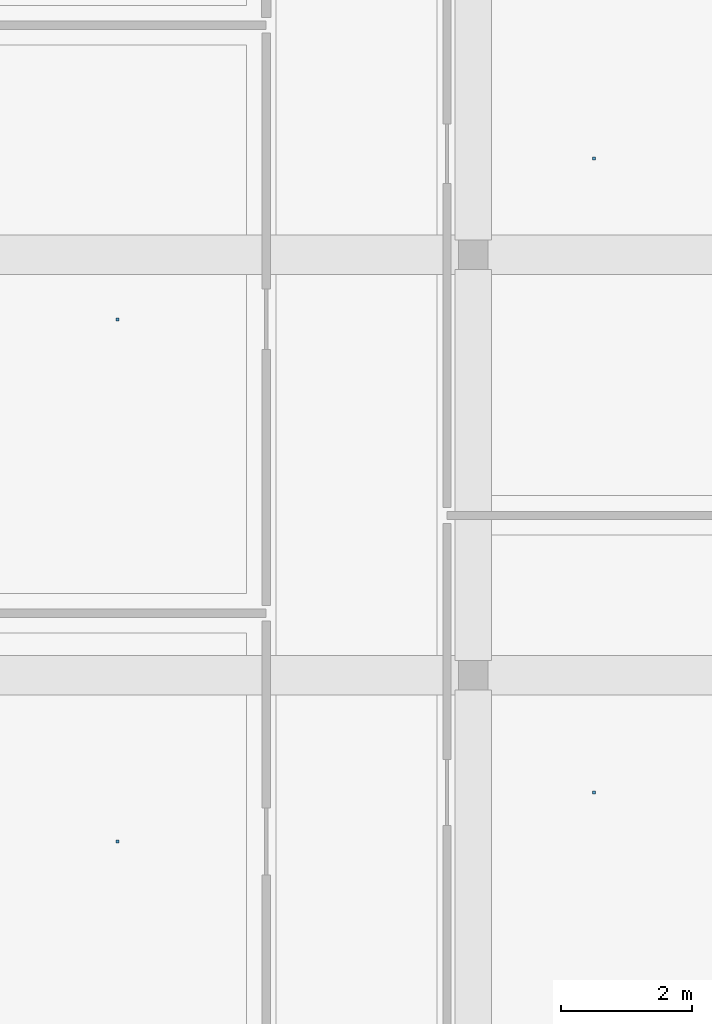
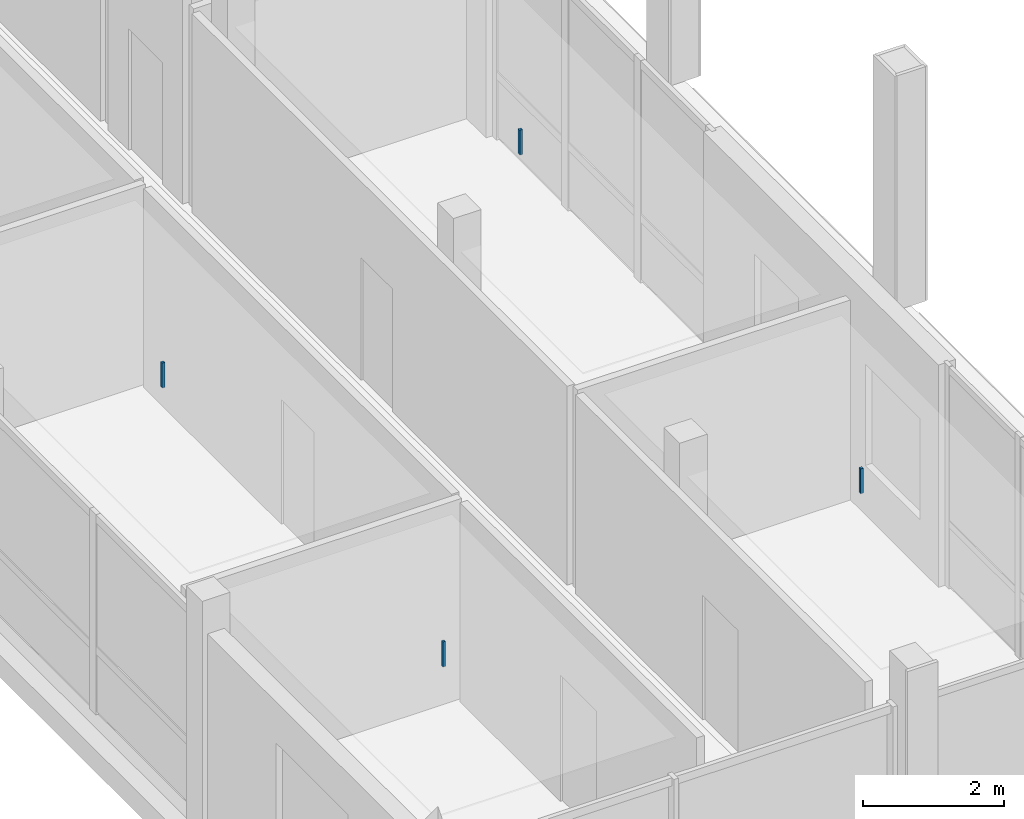
# One storey, part 35 of 48: 4 discrete accessories.
"""IFC4 building model written with IfcOpenShell, lengths in metres."""

import ifcopenshell
import ifcopenshell.guid

model = None  # the IFC model being written
_history = None  # IfcOwnerHistory: only IFC2X3 demands one
_inside = {}  # id of a spatial element -> (the spatial element, [elements in it])
_under = {}  # id of a project, library or spatial element -> (it, [spatial elements below it])
_declared = {}  # id of a project -> (the project, [libraries it declares])
_typed = {}  # id of a type object -> (the type object, [elements of that type])
_made_of = {}  # id of a material, layer set ... -> (it, [elements and type objects made of it])


def new_model(schema):
    """Start an empty IFC model of exactly this schema.

    Asked for "IFC4X3", IfcOpenShell would pick the latest addendum, in which some entities
    have other attributes; the version numbers below select the first issue.
    IFC2X3 requires an IfcOwnerHistory on every rooted entity: one is made here for all.
    """
    global model, _history
    if schema == "IFC4X3":
        model = ifcopenshell.file(schema_version=(4, 3, 0, 0))
    else:
        model = ifcopenshell.file(schema=schema)
    _inside.clear()
    _under.clear()
    _declared.clear()
    _typed.clear()
    _made_of.clear()
    _history = None
    if model.schema == "IFC2X3":
        org = make("IfcOrganization", Name="unknown")
        user = make(
            "IfcPersonAndOrganization",
            ThePerson=make("IfcPerson", FamilyName="unknown"),
            TheOrganization=org,
        )
        app = make(
            "IfcApplication",
            ApplicationDeveloper=org,
            Version="unknown",
            ApplicationFullName="unknown",
            ApplicationIdentifier="unknown",
        )
        _history = make(
            "IfcOwnerHistory",
            OwningUser=user,
            OwningApplication=app,
            ChangeAction="ADDED",
            CreationDate=0,
        )
    return model


def make(cls, **values):
    """One entity of the class cls with the attributes given. An attribute that is None is left unset."""
    return model.create_entity(
        cls, **{name: value for name, value in values.items() if value is not None}
    )


def rooted(cls, **values):
    """An entity with a GlobalId (a new one), such as an element, a storey or a relation."""
    return make(cls, GlobalId=ifcopenshell.guid.new(), OwnerHistory=_history, **values)


def si_unit(unit_type, name, prefix=None):
    """IfcSIUnit, for example si_unit("LENGTHUNIT", "METRE", prefix="MILLI")."""
    return make("IfcSIUnit", UnitType=unit_type, Prefix=prefix, Name=name)


def derived_unit(unit_type, elements):
    """IfcDerivedUnit: a product of units, each with its exponent."""
    return make(
        "IfcDerivedUnit",
        Elements=[
            make("IfcDerivedUnitElement", Unit=unit, Exponent=power)
            for unit, power in elements
        ],
        UnitType=unit_type,
    )


def assignment(units):
    """IfcUnitAssignment: the units of a project."""
    return None if units is None else make("IfcUnitAssignment", Units=units)


def point(xyz):
    """IfcCartesianPoint."""
    return None if xyz is None else make("IfcCartesianPoint", Coordinates=xyz)


def direction(xyz):
    """IfcDirection."""
    return None if xyz is None else make("IfcDirection", DirectionRatios=xyz)


def frame(location, z_axis=None, x_axis=None):
    """IfcAxis2Placement3D, a coordinate frame: its origin and axes. An axis left out is left unset."""
    return make(
        "IfcAxis2Placement3D",
        Location=point(location),
        Axis=direction(z_axis),
        RefDirection=direction(x_axis),
    )


def frame_2d(location, x_axis=None):
    """IfcAxis2Placement2D, a coordinate frame in the plane: its origin and x axis."""
    return make(
        "IfcAxis2Placement2D", Location=point(location), RefDirection=direction(x_axis)
    )


def origin():
    """The frame at (0, 0, 0) with its axes left unset."""
    return frame((0.0, 0.0, 0.0))


def origin_2d():
    """The frame at (0, 0) in the plane with its x axis left unset."""
    return frame_2d((0.0, 0.0))


def place(relative_to, where):
    """IfcLocalPlacement: puts the frame where relative to a parent placement (None: the world)."""
    return make(
        "IfcLocalPlacement", PlacementRelTo=relative_to, RelativePlacement=where
    )


def context(
    kind, dimensions, precision=None, world=None, true_north=None, identifier=None
):
    """IfcGeometricRepresentationContext, for example the 3D "Model" context."""
    return make(
        "IfcGeometricRepresentationContext",
        ContextIdentifier=identifier,
        ContextType=kind,
        CoordinateSpaceDimension=dimensions,
        Precision=precision,
        WorldCoordinateSystem=world,
        TrueNorth=true_north,
    )


def subcontext(parent, identifier, kind, view, scale=None):
    """IfcGeometricRepresentationSubContext, for example "Body" below "Model"."""
    return make(
        "IfcGeometricRepresentationSubContext",
        ContextIdentifier=identifier,
        ContextType=kind,
        ParentContext=parent,
        TargetScale=scale,
        TargetView=view,
    )


def project(units=None, contexts=None):
    """IfcProject with its units and contexts."""
    return rooted(
        "IfcProject",
        Name="project",
        RepresentationContexts=contexts,
        UnitsInContext=assignment(units),
    )


def spatial(cls, under=None, at=None, **own):
    """A site, building, storey or space (cls), placed at a placement, below another one or the project."""
    s = rooted(cls, ObjectPlacement=at, **own)
    if under is not None:
        _under.setdefault(under.id(), (under, []))[1].append(s)
    return s


def profile(cls, at=None, kind="AREA", **sizes):
    """A parametric profile (cls). Its sizes go by their IFC names, for example OverallWidth=200.0."""
    return make(cls, ProfileType=kind, Position=at, **sizes)


def rectangle(**sizes):
    """IfcRectangleProfileDef."""
    return profile("IfcRectangleProfileDef", **sizes)


def extrude(swept, where, along, depth):
    """IfcExtrudedAreaSolid: the profile swept, set in the frame where, extruded along a direction by depth."""
    return make(
        "IfcExtrudedAreaSolid",
        SweptArea=swept,
        Position=where,
        ExtrudedDirection=direction(along),
        Depth=depth,
    )


def shape(context_of_items, identifier, shape_type, items):
    """IfcShapeRepresentation: the items that make up one representation, for example the "Body"."""
    return make(
        "IfcShapeRepresentation",
        ContextOfItems=context_of_items,
        RepresentationIdentifier=identifier,
        RepresentationType=shape_type,
        Items=items,
    )


def material(Name=None, Category=None):
    """IfcMaterial."""
    return make("IfcMaterial", Name=Name, Category=Category)


def made_of(thing, what):
    """Note that an element or type object is made of a material, layer set ...; save() writes the relation."""
    if what is not None:
        _made_of.setdefault(what.id(), (what, []))[1].append(thing)
    return thing


def type_object(cls, material=None, **own):
    """A type object (cls), such as IfcWallType, which elements share."""
    return made_of(rooted(cls, **own), material)


def element(
    cls,
    number,
    at=None,
    inside=None,
    cuts=None,
    type_object=None,
    material=None,
    context=None,
    identifier="Body",
    shape_type=None,
    held_by="IfcProductDefinitionShape",
    body=None,
    shapes=None,
    **own,
):
    """One element of the class cls, such as IfcWall. Its Tag is "e" and its number.

    at: its placement. inside: the storey or other place that contains it. cuts: it is an
    opening in that element (IfcRelVoidsElement). A single representation is given by context,
    identifier, shape_type and body (its items); several are given by shapes. held_by: the class
    of the entity that holds the representations. save() writes the other relations.
    """
    e = rooted(cls, Tag="e%d" % number, ObjectPlacement=at, **own)
    if body is not None:
        shapes = [shape(context, identifier, shape_type, body)]
    if shapes is not None:
        e.Representation = make(held_by, Representations=shapes)
    if inside is not None:
        _inside.setdefault(inside.id(), (inside, []))[1].append(e)
    if cuts is not None:
        rooted(
            "IfcRelVoidsElement", RelatingBuildingElement=cuts, RelatedOpeningElement=e
        )
    if type_object is not None:
        _typed.setdefault(type_object.id(), (type_object, []))[1].append(e)
    return made_of(e, material)


def aggregate(whole, parts):
    """IfcRelAggregates: a whole, such as a stair, and the parts it consists of."""
    return rooted("IfcRelAggregates", RelatingObject=whole, RelatedObjects=parts)


def save(model, path):
    """Write the relations noted so far, then the file.

    IfcRelAggregates (storeys below a building ...), IfcRelContainedInSpatialStructure (elements
    in a storey), IfcRelDefinesByType, IfcRelAssociatesMaterial and IfcRelDeclares: one each for
    every whole, place, type object, material and project.
    """
    for whole, parts in _under.values():
        aggregate(whole, parts)
    for where, things in _inside.values():
        rooted(
            "IfcRelContainedInSpatialStructure",
            RelatedElements=things,
            RelatingStructure=where,
        )
    for kind, things in _typed.values():
        rooted("IfcRelDefinesByType", RelatedObjects=things, RelatingType=kind)
    for what, things in _made_of.values():
        rooted("IfcRelAssociatesMaterial", RelatedObjects=things, RelatingMaterial=what)
    for by, libraries in _declared.values():
        rooted("IfcRelDeclares", RelatingContext=by, RelatedDefinitions=libraries)
    model.write(path)


model = new_model("IFC4")

# Units and contexts
model_context = context("Model", 3, precision=1e-05, world=origin(), true_north=direction((0.0, 1.0)))
body_context = subcontext(model_context, "Body", "Model", "MODEL_VIEW")
ifc_project = project(units=[si_unit("LENGTHUNIT", "METRE"), si_unit("AREAUNIT", "SQUARE_METRE"), si_unit("VOLUMEUNIT", "CUBIC_METRE"), si_unit("PLANEANGLEUNIT", "RADIAN"), si_unit("MASSUNIT", "GRAM", prefix="KILO"), derived_unit("THERMALTRANSMITTANCEUNIT", [(si_unit("POWERUNIT", "WATT"), 1), (si_unit("LENGTHUNIT", "METRE"), -2), (si_unit("THERMODYNAMICTEMPERATUREUNIT", "KELVIN"), -1)])], contexts=[model_context])

# Site, building, storey
site_placement = place(None, origin())
site = spatial("IfcSite", under=ifc_project, at=site_placement, CompositionType="ELEMENT")
building_placement = place(site_placement, origin())
building = spatial("IfcBuilding", under=site, at=building_placement, Name="Braskholm Square Health Centre", CompositionType="ELEMENT")
storey_placement = place(building_placement, frame((0.0, 0.0, 17.550048828125)))
storey = spatial("IfcBuildingStorey", under=building, at=storey_placement, Name="L05", CompositionType="ELEMENT", Elevation=17.550048828125)

# Discrete accessories
ifc_material = material(Name="Steel ASTM A500 Grade C", Category="steel")
discrete_accessory_type = type_object("IfcDiscreteAccessoryType", Name="CeilingSuspensionBracket", PredefinedType="BRACKET", material=ifc_material)
for number, where, z_axis, x_axis, name in (
    (1, (158.43994140625, 8.81494140625, 3.421875), (0.0, 0.0, 1.0), (1.0, 0.0, 0.0), "Ceiling hanger bracket 0189"),
    (2, (158.43994140625, 18.4599609375, 3.421875), (0.0, 0.0, 1.0), (1.0, 0.0, 0.0), "Ceiling hanger bracket 0190"),
    (3, (151.18505859375, 8.070068359375, 3.421875), (0.0, 0.0, 1.0), (1.0, 0.0, 0.0), "Ceiling hanger bracket 0198"),
    (4, (151.18505859375, 16.014892578125, 3.421875), (0.0, 0.0, 1.0), (1.0, 0.0, 0.0), "Ceiling hanger bracket 0199"),
):
    element("IfcDiscreteAccessory", number, at=place(storey_placement, frame(where, z_axis=z_axis, x_axis=x_axis)), inside=storey, type_object=discrete_accessory_type, Name=name, PredefinedType="BRACKET", context=body_context, shape_type="SweptSolid", body=[
        extrude(rectangle(XDim=0.044921875, YDim=0.044921875, at=origin_2d()), origin(), (0.0, 0.0, 1.0), 0.429931640625),
    ])

save(model, "model.ifc")
